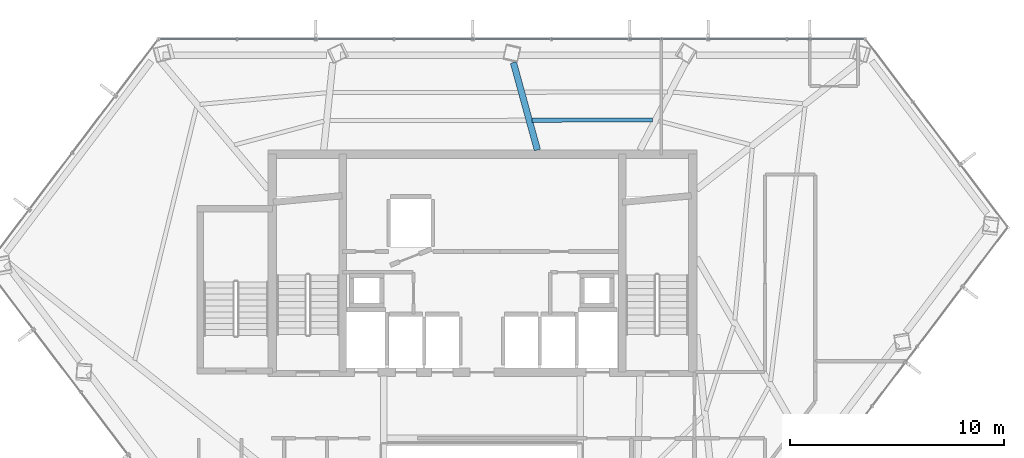
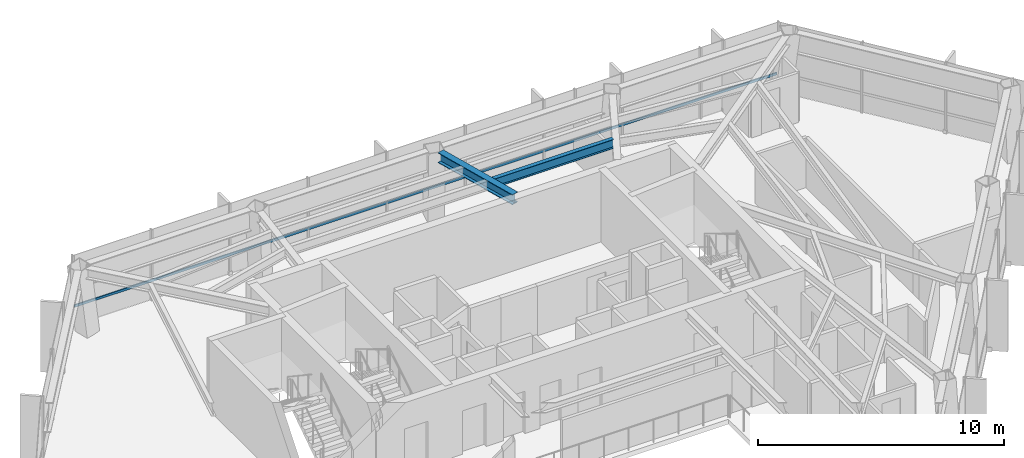
# One storey, part 14 of 27: 2 beams, 1 member, 1 element without a shape of its own.
"""IFC4 building model written with IfcOpenShell, lengths in metres."""

from ifc_helpers import new_model, si_unit, direction, frame, origin, origin_2d, place, context, subcontext, project, spatial, hollow_rectangle, i_section, extrude, material, layer, layer_set, material_profile, profile_set, type_object, element, aggregate, save


model = new_model("IFC4")

# Units and contexts
model_context = context("Model", 3, precision=1e-05, world=origin(), true_north=direction((0.0, 1.0)))
body_context = subcontext(model_context, "Body", "Model", "MODEL_VIEW")
ifc_project = project(units=[si_unit("LENGTHUNIT", "METRE"), si_unit("AREAUNIT", "SQUARE_METRE"), si_unit("VOLUMEUNIT", "CUBIC_METRE"), si_unit("PLANEANGLEUNIT", "RADIAN"), si_unit("MASSUNIT", "GRAM", prefix="KILO")], contexts=[model_context])

# Site, building, storey
site_placement = place(None, origin())
site = spatial("IfcSite", under=ifc_project, at=site_placement, CompositionType="ELEMENT")
building_placement = place(site_placement, origin())
building = spatial("IfcBuilding", under=site, at=building_placement, Name="Zarrinselat Tower", CompositionType="ELEMENT")
storey_placement = place(building_placement, frame((0.0, 0.0, 172.0400390625)))
storey = spatial("IfcBuildingStorey", under=building, at=storey_placement, Name="L42", CompositionType="ELEMENT", Elevation=172.0400390625)

# Beams
ifc_material_1 = material(Name="Steel S355J2", Category="steel")
ifc_material_profile_1 = material_profile(ifc_material_1, i_section(OverallWidth=0.300048828125, OverallDepth=0.5, WebThickness=0.014404296875, FlangeThickness=0.028076171875, at=origin_2d()), Name="HEB 500")
ifc_profile_set_1 = profile_set([ifc_material_profile_1], Name="Steel S355J2")
beam_type_1 = type_object("IfcBeamType", Name="BM-HEB500", PredefinedType="BEAM", material=ifc_profile_set_1)
beam_1_placement = place(storey_placement, frame((39.87744140625, 47.732666015625, 3.25), z_axis=(0.264509285991, -0.964383138397, 0.0), x_axis=(0.964383138397, 0.264509285991, 0.0)))
element("IfcBeam", 1, at=beam_1_placement, inside=storey, type_object=beam_type_1, Name="L42 Radial Primary Girder RG03", PredefinedType="BEAM", context=body_context, shape_type="SweptSolid", body=[
    extrude(i_section(OverallWidth=0.300048828125, OverallDepth=0.5, WebThickness=0.014404296875, FlangeThickness=0.028076171875, at=origin_2d()), origin(), (0.0, 0.0, 1.0), 4.243896484375),
])
ifc_material_2 = material(Name="Steel S355J2", Category="steel")
ifc_material_profile_2 = material_profile(ifc_material_2, i_section(OverallWidth=0.18994140625, OverallDepth=0.449951171875, WebThickness=0.009521484375, FlangeThickness=0.0146484375, at=origin_2d()), Name="IPE 450")
ifc_profile_set_2 = profile_set([ifc_material_profile_2], Name="Steel S355J2")
beam_type_2 = type_object("IfcBeamType", Name="BM-IPE450", PredefinedType="JOIST", material=ifc_profile_set_2)
beam_2_placement = place(storey_placement, frame((40.75830078125, 45.03173828125, 3.27490234375), z_axis=(0.999998782261, 0.001560601533, 0.0), x_axis=(-0.001560601533, 0.999998782261, 0.0)))
element("IfcBeam", 2, at=beam_2_placement, inside=storey, type_object=beam_type_2, Name="L42 Composite Floor Joist 7-2", PredefinedType="JOIST", context=body_context, shape_type="SweptSolid", body=[
    extrude(i_section(OverallWidth=0.18994140625, OverallDepth=0.449951171875, WebThickness=0.009521484375, FlangeThickness=0.0146484375, at=origin_2d()), origin(), (0.0, 0.0, 1.0), 5.6318359375),
])

# Curtain wall, member
ifc_material_3 = material(Name="Extruded Aluminium Alloy EN AW-6063 T6", Category="aluminium")
ifc_layer = layer(ifc_material_3, 0.175048828125)
ifc_layer_set = layer_set([ifc_layer], Name="Extruded Aluminium Alloy EN AW-6063 T6")
curtain_wall_type = type_object("IfcCurtainWallType", Name="CWS-HTL", PredefinedType="NOTDEFINED", material=ifc_layer_set)
curtain_wall_placement = place(storey_placement, origin())
curtain_wall = element("IfcCurtainWall", 3, at=curtain_wall_placement, inside=storey, type_object=curtain_wall_type, Name="L42 Unitised Curtain Wall CW-L42-E01", PredefinedType="NOTDEFINED")
ifc_material_4 = material(Name="Extruded Aluminium Alloy EN AW-6063 T6", Category="aluminium")
ifc_material_profile_3 = material_profile(ifc_material_4, hollow_rectangle(XDim=0.06005859375, YDim=0.1201171875, WallThickness=0.00390625, at=origin_2d()), Name="RHS 120x60x4")
ifc_profile_set_3 = profile_set([ifc_material_profile_3], Name="Extruded Aluminium Alloy EN AW-6063 T6")
member_type = type_object("IfcMemberType", Name="MEM-CW-TRN2", PredefinedType="USERDEFINED", material=ifc_profile_set_3)
member_placement = place(storey_placement, frame((56.256591796875, 48.8388671875, 0.949951171875), z_axis=(-1.0, 0.0, 0.0), x_axis=(0.0, -1.0, 0.0)))
member = element("IfcMember", 4, at=member_placement, type_object=member_type, Name="CW-L42-E01 Transom 1", ObjectType="TRANSOM", PredefinedType="USERDEFINED", context=body_context, shape_type="SweptSolid", body=[
    extrude(hollow_rectangle(XDim=0.06005859375, YDim=0.1201171875, WallThickness=0.00390625, at=origin_2d()), origin(), (0.0, 0.0, 1.0), 32.89111328125),
])
aggregate(curtain_wall, [member])

save(model, "model.ifc")
